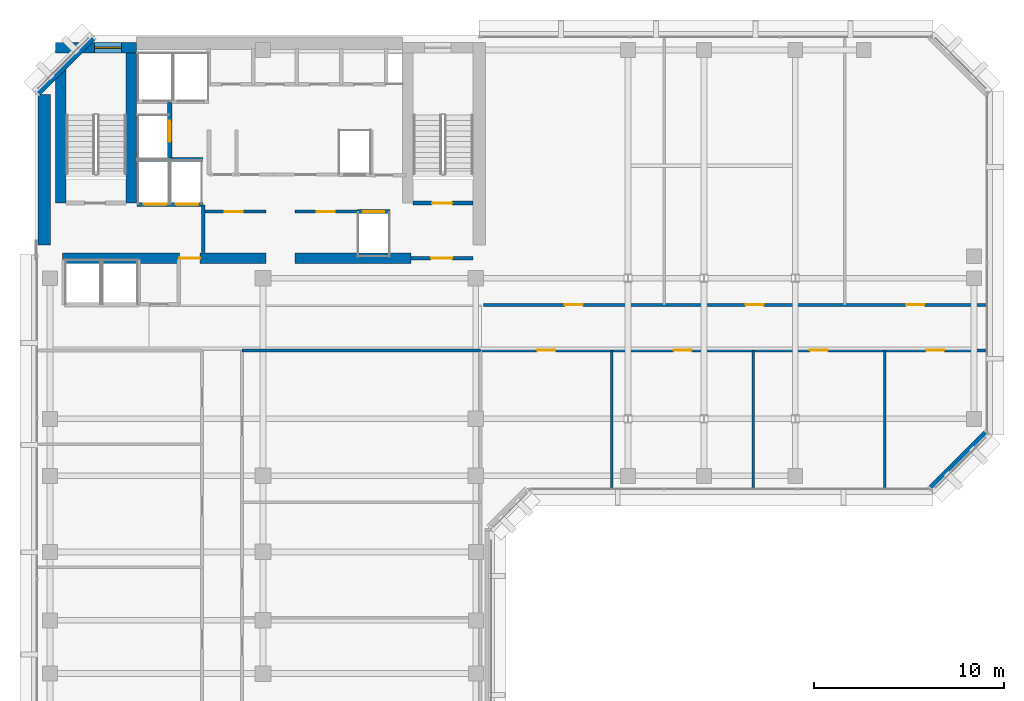
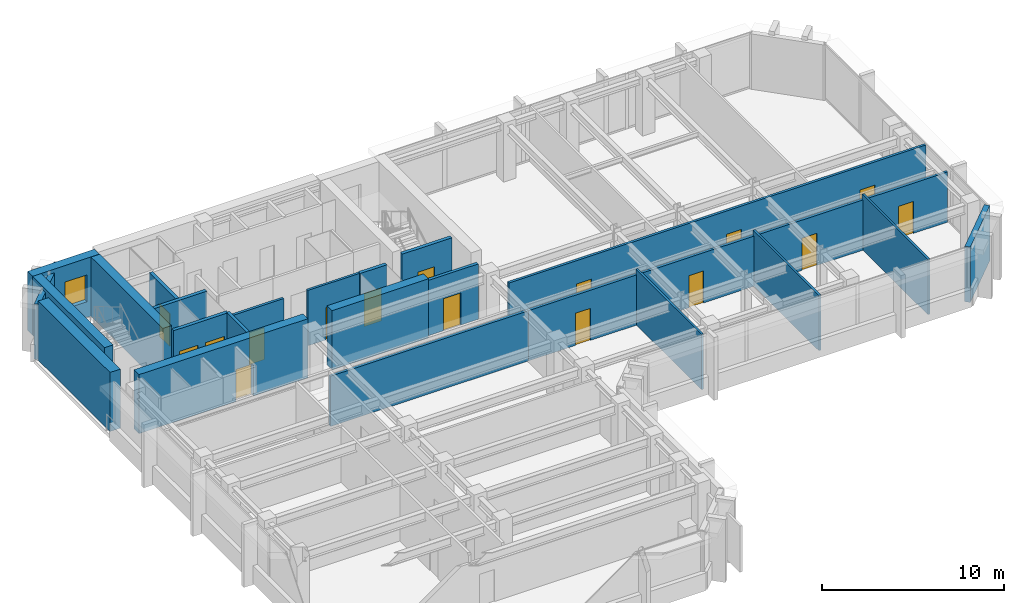
# One storey, part 7 of 12: 23 walls, 16 doors, 1 window, 17 openings.
"""IFC4 building model written with IfcOpenShell, lengths in metres."""

from ifc_helpers import new_model, si_unit, direction, frame, frame_2d, origin, place, context, subcontext, project, spatial, rectangle, extrude, material, layer, layer_set, type_object, element, fill, save


model = new_model("IFC4")

# Units and contexts
model_context = context("Model", 3, precision=1e-05, world=origin(), true_north=direction((0.0, 1.0)))
body_context = subcontext(model_context, "Body", "Model", "MODEL_VIEW")
ifc_project = project(units=[si_unit("LENGTHUNIT", "METRE"), si_unit("AREAUNIT", "SQUARE_METRE"), si_unit("VOLUMEUNIT", "CUBIC_METRE"), si_unit("PLANEANGLEUNIT", "RADIAN"), si_unit("MASSUNIT", "GRAM", prefix="KILO")], contexts=[model_context])

# Site, building, storey
site_placement = place(None, origin())
site = spatial("IfcSite", under=ifc_project, at=site_placement, CompositionType="ELEMENT")
building_placement = place(site_placement, origin())
building = spatial("IfcBuilding", under=site, at=building_placement, Name="Kefirva Bronze Tower", CompositionType="ELEMENT")
storey_placement = place(building_placement, frame((0.0, 0.0, 256.409912109375)))
storey = spatial("IfcBuildingStorey", under=building, at=storey_placement, Name="L62", CompositionType="ELEMENT", Elevation=256.409912109375)

# Walls
ifc_material_1 = material(Name="Gypsum acoustic partition")
ifc_layer_1 = layer(ifc_material_1, 0.1298828125, Name="Gypsum acoustic partition")
ifc_layer_set_1 = layer_set([ifc_layer_1], Name="Gypsum acoustic partition")
wall_type_1 = type_object("IfcWallType", Name="Acoustic Office Partition 130mm", PredefinedType="PARTITIONING", material=ifc_layer_set_1)
for number, where, z_axis, x_axis, name in (
    (1, (30.355712890625, 22.18994140625, 0.0), (0.0, 0.0, 1.0), (0.0, 1.0, 0.0), "L62 Partition W-L62-ESD1"),
    (2, (37.79248046875, 22.18994140625, 0.0), (0.0, 0.0, 1.0), (0.0, 1.0, 0.0), "L62 Partition W-L62-ESD2"),
    (3, (44.697998046875, 22.18994140625, 0.0), (0.0, 0.0, 1.0), (0.0, 1.0, 0.0), "L62 Partition W-L62-ESD3"),
):
    element("IfcWall", number, at=place(storey_placement, frame(where, z_axis=z_axis, x_axis=x_axis)), inside=storey, type_object=wall_type_1, Name=name, PredefinedType="PARTITIONING", context=body_context, shape_type="SweptSolid", body=[
        extrude(rectangle(XDim=7.2099609375, YDim=0.1298828125, at=frame_2d((3.60498046875, 0.0))), origin(), (0.0, 0.0, 1.0), 3.710205078125),
    ])

# Wall, opening, door
ifc_layer_2 = layer(ifc_material_1, 0.14990234375, Name="Gypsum acoustic partition")
ifc_layer_set_2 = layer_set([ifc_layer_2], Name="Gypsum acoustic partition")
wall_type_2 = type_object("IfcWallType", Name="Executive Suite Partition 150mm", PredefinedType="PARTITIONING", material=ifc_layer_set_2)
wall_1_placement = place(storey_placement, frame((13.679931640625, 36.699951171875, 0.0), z_axis=(0.0, 0.0, 1.0), x_axis=(1.0, 0.0, 0.0)))
wall_1 = element("IfcWall", 4, at=wall_1_placement, inside=storey, type_object=wall_type_2, Name="L62 Partition W-L62-RECMP1", PredefinedType="PARTITIONING", context=body_context, shape_type="SweptSolid", body=[
    extrude(rectangle(XDim=3.280029296875, YDim=0.14990234375, at=frame_2d((1.64013671875, 0.0))), origin(), (0.0, 0.0, 1.0), 3.710205078125),
])
opening_1_placement = place(wall_1_placement, frame((1.14990234375, 0.0, 0.0)))
opening_1 = element("IfcOpeningElement", 5, at=opening_1_placement, cuts=wall_1, Name="Opening L62-D-RECMP1", PredefinedType="OPENING", context=body_context, shape_type="SweptSolid", body=[
    extrude(rectangle(XDim=0.949951171875, YDim=2.14990234375, at=frame_2d((0.47509765625, 1.074951171875))), frame((0.0, 0.0849609375, 0.0), z_axis=(0.0, -1.0, 0.0), x_axis=(1.0, 0.0, 0.0)), (0.0, 0.0, 1.0), 0.169921875),
])
ifc_material_2 = material(Name="Acoustic hardwood oak", Category="wood")
door_type_1 = type_object("IfcDoorType", Name="Office & Meeting Room Door 950x2150", OperationType="NOTDEFINED", PredefinedType="DOOR", material=ifc_material_2)
door_1_placement = place(opening_1_placement, origin())
door_1 = element("IfcDoor", 6, at=door_1_placement, inside=storey, type_object=door_type_1, Name="Door L62-D-RECMP1", OperationType="SINGLE_SWING_LEFT", OverallHeight=2.14990234375, OverallWidth=0.949951171875, PredefinedType="DOOR", context=body_context, shape_type="SweptSolid", body=[
    extrude(rectangle(XDim=0.949951171875, YDim=2.14990234375, at=frame_2d((0.47509765625, 1.074951171875))), frame((0.0, 0.02490234375, 0.0), z_axis=(0.0, -1.0, 0.0), x_axis=(1.0, 0.0, 0.0)), (0.0, 0.0, 1.0), 0.050048828125),
])
fill(opening_1, door_1)

ifc_material_3 = material(Name="Gypsum fireboard shaftwall")
ifc_layer_3 = layer(ifc_material_3, 0.219970703125, Name="Gypsum fireboard shaftwall")
ifc_layer_set_3 = layer_set([ifc_layer_3], Name="Gypsum fireboard shaftwall")
wall_type_3 = type_object("IfcWallType", Name="Fire-Rated Shaft Enclosure Wall 220mm", PredefinedType="PARTITIONING", material=ifc_layer_set_3)
wall_2_placement = place(storey_placement, frame((19.89990234375, 37.14990234375, 0.0), z_axis=(0.0, 0.0, 1.0), x_axis=(1.0, 0.0, 0.0)))
wall_2 = element("IfcWall", 7, at=wall_2_placement, inside=storey, type_object=wall_type_3, Name="L62 Partition W-L62-ST2S", PredefinedType="PARTITIONING", context=body_context, shape_type="SweptSolid", body=[
    extrude(rectangle(XDim=3.150146484375, YDim=0.219970703125, at=frame_2d((1.5751953125, 0.0))), origin(), (0.0, 0.0, 1.0), 3.710205078125),
])
opening_2_placement = place(wall_2_placement, frame((2.050048828125, 0.0, 0.0), z_axis=(0.0, 0.0, 1.0), x_axis=(-1.0, 0.0, 0.0)))
opening_2 = element("IfcOpeningElement", 8, at=opening_2_placement, cuts=wall_2, Name="Opening L62-D003", PredefinedType="OPENING", context=body_context, shape_type="SweptSolid", body=[
    extrude(rectangle(XDim=1.050048828125, YDim=2.14990234375, at=frame_2d((0.52490234375, 1.074951171875))), frame((0.0, 0.1201171875, 0.0), z_axis=(0.0, -1.0, 0.0), x_axis=(1.0, 0.0, 0.0)), (0.0, 0.0, 1.0), 0.239990234375),
])
ifc_material_4 = material(Name="Painted galvanized steel", Category="steel")
door_type_2 = type_object("IfcDoorType", Name="Fire Stair Enclosure Door 1050x2150 FD90S", OperationType="NOTDEFINED", PredefinedType="DOOR", material=ifc_material_4)
door_2_placement = place(opening_2_placement, origin())
door_2 = element("IfcDoor", 9, at=door_2_placement, inside=storey, type_object=door_type_2, Name="Door L62-D003", OperationType="SINGLE_SWING_RIGHT", OverallHeight=2.14990234375, OverallWidth=1.050048828125, PredefinedType="DOOR", context=body_context, shape_type="SweptSolid", body=[
    extrude(rectangle(XDim=1.050048828125, YDim=2.14990234375, at=frame_2d((0.52490234375, 1.074951171875))), frame((0.0, 0.02490234375, 0.0), z_axis=(0.0, -1.0, 0.0), x_axis=(1.0, 0.0, 0.0)), (0.0, 0.0, 1.0), 0.050048828125),
])
fill(opening_2, door_2)

# Wall, openings, doors
wall_3_placement = place(storey_placement, frame((5.3798828125, 37.080078125, 0.0), z_axis=(0.0, 0.0, 1.0), x_axis=(1.0, 0.0, 0.0)))
wall_3 = element("IfcWall", 10, at=wall_3_placement, inside=storey, type_object=wall_type_3, Name="L62 Partition W-L62-FFS", PredefinedType="PARTITIONING", context=body_context, shape_type="SweptSolid", body=[
    extrude(rectangle(XDim=3.460205078125, YDim=0.219970703125, at=frame_2d((1.72998046875, 0.0))), origin(), (0.0, 0.0, 1.0), 3.710205078125),
])
opening_3_placement = place(wall_3_placement, frame((1.550048828125, 0.0, 0.0), z_axis=(0.0, 0.0, 1.0), x_axis=(-1.0, 0.0, 0.0)))
opening_3 = element("IfcOpeningElement", 11, at=opening_3_placement, cuts=wall_3, Name="Opening L62-LD-FF1", PredefinedType="OPENING", context=body_context, shape_type="SweptSolid", body=[
    extrude(rectangle(XDim=1.199951171875, YDim=2.199951171875, at=frame_2d((0.60009765625, 1.10009765625))), frame((0.0, 0.1201171875, 0.0), z_axis=(0.0, -1.0, 0.0), x_axis=(1.0, 0.0, 0.0)), (0.0, 0.0, 1.0), 0.239990234375),
])
opening_4_placement = place(wall_3_placement, frame((3.219970703125, 0.0, 0.0), z_axis=(0.0, 0.0, 1.0), x_axis=(-1.0, 0.0, 0.0)))
opening_4 = element("IfcOpeningElement", 12, at=opening_4_placement, cuts=wall_3, Name="Opening L62-LD-FF2", PredefinedType="OPENING", context=body_context, shape_type="SweptSolid", body=[
    extrude(rectangle(XDim=1.199951171875, YDim=2.199951171875, at=frame_2d((0.60009765625, 1.10009765625))), frame((0.0, 0.1201171875, 0.0), z_axis=(0.0, -1.0, 0.0), x_axis=(1.0, 0.0, 0.0)), (0.0, 0.0, 1.0), 0.239990234375),
])
ifc_material_5 = material(Name="Stainless steel 316", Category="steel")
door_type_3 = type_object("IfcDoorType", Name="Firefighting Lift Sliding Door 1200x2200", OperationType="SLIDING_TO_RIGHT", PredefinedType="DOOR", material=ifc_material_5)
door_3_placement = place(opening_3_placement, origin())
door_3 = element("IfcDoor", 13, at=door_3_placement, inside=storey, type_object=door_type_3, Name="Door L62-LD-FF1", OperationType="SLIDING_TO_RIGHT", OverallHeight=2.199951171875, OverallWidth=1.199951171875, PredefinedType="DOOR", context=body_context, shape_type="SweptSolid", body=[
    extrude(rectangle(XDim=1.199951171875, YDim=2.199951171875, at=frame_2d((0.60009765625, 1.10009765625))), frame((0.0, 0.02490234375, 0.0), z_axis=(0.0, -1.0, 0.0), x_axis=(1.0, 0.0, 0.0)), (0.0, 0.0, 1.0), 0.050048828125),
])
fill(opening_3, door_3)
door_4_placement = place(opening_4_placement, origin())
door_4 = element("IfcDoor", 14, at=door_4_placement, inside=storey, type_object=door_type_3, Name="Door L62-LD-FF2", OperationType="SLIDING_TO_RIGHT", OverallHeight=2.199951171875, OverallWidth=1.199951171875, PredefinedType="DOOR", context=body_context, shape_type="SweptSolid", body=[
    extrude(rectangle(XDim=1.199951171875, YDim=2.199951171875, at=frame_2d((0.60009765625, 1.10009765625))), frame((0.0, 0.02490234375, 0.0), z_axis=(0.0, -1.0, 0.0), x_axis=(1.0, 0.0, 0.0)), (0.0, 0.0, 1.0), 0.050048828125),
])
fill(opening_4, door_4)

# Wall
wall_4_placement = place(storey_placement, frame((5.3798828125, 39.449951171875, 0.0), z_axis=(0.0, 0.0, 1.0), x_axis=(1.0, 0.0, 0.0)))
element("IfcWall", 15, at=wall_4_placement, inside=storey, type_object=wall_type_3, Name="L62 Partition W-L62-FFN", PredefinedType="PARTITIONING", context=body_context, shape_type="SweptSolid", body=[
    extrude(rectangle(XDim=3.460205078125, YDim=0.219970703125, at=frame_2d((1.72998046875, 0.0))), origin(), (0.0, 0.0, 1.0), 3.710205078125),
])

# Wall, opening, door
wall_5_placement = place(storey_placement, frame((7.10009765625, 39.52001953125, 0.0), z_axis=(0.0, 0.0, 1.0), x_axis=(0.0, 1.0, 0.0)))
wall_5 = element("IfcWall", 16, at=wall_5_placement, inside=storey, type_object=wall_type_3, Name="L62 Partition W-L62-HP3E", PredefinedType="PARTITIONING", context=body_context, shape_type="SweptSolid", body=[
    extrude(rectangle(XDim=2.929931640625, YDim=0.219970703125, at=frame_2d((1.46484375, 0.0))), origin(), (0.0, 0.0, 1.0), 3.710205078125),
])
opening_5_placement = place(wall_5_placement, frame((0.85009765625, 0.0, 0.0)))
opening_5 = element("IfcOpeningElement", 17, at=opening_5_placement, cuts=wall_5, Name="Opening L62-LD-HP3", PredefinedType="OPENING", context=body_context, shape_type="SweptSolid", body=[
    extrude(rectangle(XDim=1.10009765625, YDim=2.199951171875, at=frame_2d((0.550048828125, 1.10009765625))), frame((0.0, 0.1201171875, 0.0), z_axis=(0.0, -1.0, 0.0), x_axis=(1.0, 0.0, 0.0)), (0.0, 0.0, 1.0), 0.239990234375),
])
door_type_4 = type_object("IfcDoorType", Name="Passenger Lift Sliding Landing Door 1100x2200", OperationType="SLIDING_TO_LEFT", PredefinedType="DOOR", material=ifc_material_5)
door_5_placement = place(opening_5_placement, origin())
door_5 = element("IfcDoor", 18, at=door_5_placement, inside=storey, type_object=door_type_4, Name="Door L62-LD-HP3", OperationType="SLIDING_TO_LEFT", OverallHeight=2.199951171875, OverallWidth=1.10009765625, PredefinedType="DOOR", context=body_context, shape_type="SweptSolid", body=[
    extrude(rectangle(XDim=1.10009765625, YDim=2.199951171875, at=frame_2d((0.550048828125, 1.10009765625))), frame((0.0, 0.02490234375, 0.0), z_axis=(0.0, -1.0, 0.0), x_axis=(1.0, 0.0, 0.0)), (0.0, 0.0, 1.0), 0.050048828125),
])
fill(opening_5, door_5)

wall_6_placement = place(storey_placement, frame((16.97998046875, 36.699951171875, 0.0), z_axis=(0.0, 0.0, 1.0), x_axis=(1.0, 0.0, 0.0)))
wall_6 = element("IfcWall", 19, at=wall_6_placement, inside=storey, type_object=wall_type_3, Name="L62 Partition W-L62-HPS", PredefinedType="PARTITIONING", context=body_context, shape_type="SweptSolid", body=[
    extrude(rectangle(XDim=1.699951171875, YDim=0.219970703125, at=frame_2d((0.85009765625, 0.0))), origin(), (0.0, 0.0, 1.0), 3.710205078125),
])
opening_6_placement = place(wall_6_placement, frame((0.300048828125, 0.0, 0.0)))
opening_6 = element("IfcOpeningElement", 20, at=opening_6_placement, cuts=wall_6, Name="Opening L62-LD-HP1", PredefinedType="OPENING", context=body_context, shape_type="SweptSolid", body=[
    extrude(rectangle(XDim=1.10009765625, YDim=2.199951171875, at=frame_2d((0.550048828125, 1.10009765625))), frame((0.0, 0.1201171875, 0.0), z_axis=(0.0, -1.0, 0.0), x_axis=(1.0, 0.0, 0.0)), (0.0, 0.0, 1.0), 0.239990234375),
])
door_6_placement = place(opening_6_placement, origin())
door_6 = element("IfcDoor", 21, at=door_6_placement, inside=storey, type_object=door_type_4, Name="Door L62-LD-HP1", OperationType="SLIDING_TO_LEFT", OverallHeight=2.199951171875, OverallWidth=1.10009765625, PredefinedType="DOOR", context=body_context, shape_type="SweptSolid", body=[
    extrude(rectangle(XDim=1.10009765625, YDim=2.199951171875, at=frame_2d((0.550048828125, 1.10009765625))), frame((0.0, 0.02490234375, 0.0), z_axis=(0.0, -1.0, 0.0), x_axis=(1.0, 0.0, 0.0)), (0.0, 0.0, 1.0), 0.050048828125),
])
fill(opening_6, door_6)

# Wall
ifc_material_6 = material(Name="Gypsum fireboard barrier")
ifc_layer_4 = layer(ifc_material_6, 0.199951171875, Name="Gypsum fireboard barrier")
ifc_layer_set_4 = layer_set([ifc_layer_4], Name="Gypsum fireboard barrier")
wall_type_4 = type_object("IfcWallType", Name="Firefighting Lobby Barrier Wall 200mm", PredefinedType="PARTITIONING", material=ifc_layer_set_4)
wall_7_placement = place(storey_placement, frame((8.860107421875, 34.550048828125, 0.0), z_axis=(0.0, 0.0, 1.0), x_axis=(0.0, 1.0, 0.0)))
element("IfcWall", 22, at=wall_7_placement, inside=storey, type_object=wall_type_4, Name="L62 Partition W-L62-FFLE", PredefinedType="PARTITIONING", context=body_context, shape_type="SweptSolid", body=[
    extrude(rectangle(XDim=2.5, YDim=0.199951171875, at=frame_2d((1.25, 0.0))), origin(), (0.0, 0.0, 1.0), 3.710205078125),
])

# Wall, opening, door
wall_8_placement = place(storey_placement, frame((19.800048828125, 34.25, 0.0), z_axis=(0.0, 0.0, 1.0), x_axis=(1.0, 0.0, 0.0)))
wall_8 = element("IfcWall", 23, at=wall_8_placement, inside=storey, type_object=wall_type_4, Name="L62 Partition W-L62-ST2F", PredefinedType="PARTITIONING", context=body_context, shape_type="SweptSolid", body=[
    extrude(rectangle(XDim=3.25, YDim=0.199951171875, at=frame_2d((1.625, 0.0))), origin(), (0.0, 0.0, 1.0), 3.710205078125),
])
opening_7_placement = place(wall_8_placement, frame((2.150146484375, 0.0, 0.0), z_axis=(0.0, 0.0, 1.0), x_axis=(-1.0, 0.0, 0.0)))
opening_7 = element("IfcOpeningElement", 24, at=opening_7_placement, cuts=wall_8, Name="Opening L62-D004", PredefinedType="OPENING", context=body_context, shape_type="SweptSolid", body=[
    extrude(rectangle(XDim=1.10009765625, YDim=2.14990234375, at=frame_2d((0.550048828125, 1.074951171875))), frame((0.0, 0.10986328125, 0.0), z_axis=(0.0, -1.0, 0.0), x_axis=(1.0, 0.0, 0.0)), (0.0, 0.0, 1.0), 0.219970703125),
])
door_type_5 = type_object("IfcDoorType", Name="Firefighting Lobby Smoke Door 1100x2150 FD60S", OperationType="NOTDEFINED", PredefinedType="DOOR", material=ifc_material_4)
door_7_placement = place(opening_7_placement, origin())
door_7 = element("IfcDoor", 25, at=door_7_placement, inside=storey, type_object=door_type_5, Name="Door L62-D004", OperationType="SINGLE_SWING_LEFT", OverallHeight=2.14990234375, OverallWidth=1.10009765625, PredefinedType="DOOR", context=body_context, shape_type="SweptSolid", body=[
    extrude(rectangle(XDim=1.10009765625, YDim=2.14990234375, at=frame_2d((0.550048828125, 1.074951171875))), frame((0.0, 0.02490234375, 0.0), z_axis=(0.0, -1.0, 0.0), x_axis=(1.0, 0.0, 0.0)), (0.0, 0.0, 1.0), 0.050048828125),
])
fill(opening_7, door_7)

# Walls
ifc_material_7 = material(Name="Precast concrete C40/50", Category="concrete")
ifc_layer_5 = layer(ifc_material_7, 0.320068359375, Name="Precast concrete C40/50")
ifc_layer_set_5 = layer_set([ifc_layer_5], Name="Precast concrete C40/50")
wall_type_5 = type_object("IfcWallType", Name="Precast Insulated Exterior Wall 320mm", PredefinedType="SOLIDWALL", material=ifc_layer_set_5)
for number, where, z_axis, x_axis, name in (
    (26, (47.125732421875, 22.152099609375, 0.0), (0.0, 0.0, 1.0), (0.707136318428, 0.707077242712, 0.0), "L62 Exterior Facade Wall 4"),
    (27, (3.07421875, 45.847900390625, 0.0), (0.0, 0.0, 1.0), (-0.707106781187, -0.707106781187, 0.0), "L62 Exterior Facade Wall 6"),
):
    element("IfcWall", number, at=place(storey_placement, frame(where, z_axis=z_axis, x_axis=x_axis)), inside=storey, type_object=wall_type_5, Name=name, PredefinedType="SOLIDWALL", context=body_context, shape_type="SweptSolid", body=[
        extrude(rectangle(XDim=4.132568359375, YDim=0.320068359375, at=frame_2d((2.06640625, 0.0))), origin(), (0.0, 0.0, 1.0), 3.710205078125),
    ])

# Wall, opening, door
ifc_layer_6 = layer(ifc_material_1, 0.159912109375, Name="Gypsum acoustic partition")
ifc_layer_set_6 = layer_set([ifc_layer_6], Name="Gypsum acoustic partition")
wall_type_6 = type_object("IfcWallType", Name="Protected Corridor Partition 160mm", PredefinedType="PARTITIONING", material=ifc_layer_set_6)
wall_9_placement = place(storey_placement, frame((8.89990234375, 36.699951171875, 0.0), z_axis=(0.0, 0.0, 1.0), x_axis=(1.0, 0.0, 0.0)))
wall_9 = element("IfcWall", 28, at=wall_9_placement, inside=storey, type_object=wall_type_6, Name="L62 Partition W-L62-RECLP1", PredefinedType="PARTITIONING", context=body_context, shape_type="SweptSolid", body=[
    extrude(rectangle(XDim=3.25, YDim=0.159912109375, at=frame_2d((1.625, 0.0))), origin(), (0.0, 0.0, 1.0), 3.710205078125),
])
opening_8_placement = place(wall_9_placement, frame((1.10009765625, 0.0, 0.0)))
opening_8 = element("IfcOpeningElement", 29, at=opening_8_placement, cuts=wall_9, Name="Opening L62-D-RECLP1", PredefinedType="OPENING", context=body_context, shape_type="SweptSolid", body=[
    extrude(rectangle(XDim=0.949951171875, YDim=2.14990234375, at=frame_2d((0.47509765625, 1.074951171875))), frame((0.0, 0.08984375, 0.0), z_axis=(0.0, -1.0, 0.0), x_axis=(1.0, 0.0, 0.0)), (0.0, 0.0, 1.0), 0.179931640625),
])
door_8_placement = place(opening_8_placement, origin())
door_8 = element("IfcDoor", 30, at=door_8_placement, inside=storey, type_object=door_type_1, Name="Door L62-D-RECLP1", OperationType="SINGLE_SWING_RIGHT", OverallHeight=2.14990234375, OverallWidth=0.949951171875, PredefinedType="DOOR", context=body_context, shape_type="SweptSolid", body=[
    extrude(rectangle(XDim=0.949951171875, YDim=2.14990234375, at=frame_2d((0.47509765625, 1.074951171875))), frame((0.0, 0.02490234375, 0.0), z_axis=(0.0, -1.0, 0.0), x_axis=(1.0, 0.0, 0.0)), (0.0, 0.0, 1.0), 0.050048828125),
])
fill(opening_8, door_8)

# Wall
wall_10_placement = place(storey_placement, frame((10.89990234375, 29.39990234375, 0.0), z_axis=(0.0, 0.0, 1.0), x_axis=(1.0, 0.0, 0.0)))
element("IfcWall", 31, at=wall_10_placement, inside=storey, type_object=wall_type_6, Name="L62 Partition W-L62-NET", PredefinedType="PARTITIONING", context=body_context, shape_type="SweptSolid", body=[
    extrude(rectangle(XDim=12.550048828125, YDim=0.159912109375, at=frame_2d((6.27490234375, 0.0))), origin(), (0.0, 0.0, 1.0), 3.364990234375),
])

# Wall, openings, doors
wall_11_placement = place(storey_placement, frame((23.449951171875, 29.39990234375, 0.0), z_axis=(0.0, 0.0, 1.0), x_axis=(1.0, 0.0, 0.0)))
wall_11 = element("IfcWall", 32, at=wall_11_placement, inside=storey, type_object=wall_type_6, Name="L62 Partition W-L62-EWS", PredefinedType="PARTITIONING", context=body_context, shape_type="SweptSolid", body=[
    extrude(rectangle(XDim=26.56005859375, YDim=0.159912109375, at=frame_2d((13.280029296875, 0.0))), origin(), (0.0, 0.0, 1.0), 3.364990234375),
])
opening_9_placement = place(wall_11_placement, frame((3.927734375, 0.0, 0.0), z_axis=(0.0, 0.0, 1.0), x_axis=(-1.0, 0.0, 0.0)))
opening_9 = element("IfcOpeningElement", 33, at=opening_9_placement, cuts=wall_11, Name="Opening L62-D-ES1", PredefinedType="OPENING", context=body_context, shape_type="SweptSolid", body=[
    extrude(rectangle(XDim=0.949951171875, YDim=2.14990234375, at=frame_2d((0.47509765625, 1.074951171875))), frame((0.0, 0.08984375, 0.0), z_axis=(0.0, -1.0, 0.0), x_axis=(1.0, 0.0, 0.0)), (0.0, 0.0, 1.0), 0.179931640625),
])
opening_10_placement = place(wall_11_placement, frame((11.098876953125, 0.0, 0.0), z_axis=(0.0, 0.0, 1.0), x_axis=(-1.0, 0.0, 0.0)))
opening_10 = element("IfcOpeningElement", 34, at=opening_10_placement, cuts=wall_11, Name="Opening L62-D-ES2", PredefinedType="OPENING", context=body_context, shape_type="SweptSolid", body=[
    extrude(rectangle(XDim=0.949951171875, YDim=2.14990234375, at=frame_2d((0.47509765625, 1.074951171875))), frame((0.0, 0.08984375, 0.0), z_axis=(0.0, -1.0, 0.0), x_axis=(1.0, 0.0, 0.0)), (0.0, 0.0, 1.0), 0.179931640625),
])
opening_11_placement = place(wall_11_placement, frame((18.270263671875, 0.0, 0.0), z_axis=(0.0, 0.0, 1.0), x_axis=(-1.0, 0.0, 0.0)))
opening_11 = element("IfcOpeningElement", 35, at=opening_11_placement, cuts=wall_11, Name="Opening L62-D-ES3", PredefinedType="OPENING", context=body_context, shape_type="SweptSolid", body=[
    extrude(rectangle(XDim=0.949951171875, YDim=2.14990234375, at=frame_2d((0.47509765625, 1.074951171875))), frame((0.0, 0.08984375, 0.0), z_axis=(0.0, -1.0, 0.0), x_axis=(1.0, 0.0, 0.0)), (0.0, 0.0, 1.0), 0.179931640625),
])
opening_12_placement = place(wall_11_placement, frame((24.37890625, 0.0, 0.0), z_axis=(0.0, 0.0, 1.0), x_axis=(-1.0, 0.0, 0.0)))
opening_12 = element("IfcOpeningElement", 36, at=opening_12_placement, cuts=wall_11, Name="Opening L62-D-ES4", PredefinedType="OPENING", context=body_context, shape_type="SweptSolid", body=[
    extrude(rectangle(XDim=0.949951171875, YDim=2.14990234375, at=frame_2d((0.47509765625, 1.074951171875))), frame((0.0, 0.08984375, 0.0), z_axis=(0.0, -1.0, 0.0), x_axis=(1.0, 0.0, 0.0)), (0.0, 0.0, 1.0), 0.179931640625),
])
door_9_placement = place(opening_9_placement, origin())
door_9 = element("IfcDoor", 37, at=door_9_placement, inside=storey, type_object=door_type_1, Name="Door L62-D-ES1", OperationType="SINGLE_SWING_RIGHT", OverallHeight=2.14990234375, OverallWidth=0.949951171875, PredefinedType="DOOR", context=body_context, shape_type="SweptSolid", body=[
    extrude(rectangle(XDim=0.949951171875, YDim=2.14990234375, at=frame_2d((0.47509765625, 1.074951171875))), frame((0.0, 0.02490234375, 0.0), z_axis=(0.0, -1.0, 0.0), x_axis=(1.0, 0.0, 0.0)), (0.0, 0.0, 1.0), 0.050048828125),
])
fill(opening_9, door_9)
door_10_placement = place(opening_10_placement, origin())
door_10 = element("IfcDoor", 38, at=door_10_placement, inside=storey, type_object=door_type_1, Name="Door L62-D-ES2", OperationType="SINGLE_SWING_LEFT", OverallHeight=2.14990234375, OverallWidth=0.949951171875, PredefinedType="DOOR", context=body_context, shape_type="SweptSolid", body=[
    extrude(rectangle(XDim=0.949951171875, YDim=2.14990234375, at=frame_2d((0.47509765625, 1.074951171875))), frame((0.0, 0.02490234375, 0.0), z_axis=(0.0, -1.0, 0.0), x_axis=(1.0, 0.0, 0.0)), (0.0, 0.0, 1.0), 0.050048828125),
])
fill(opening_10, door_10)
door_11_placement = place(opening_11_placement, origin())
door_11 = element("IfcDoor", 39, at=door_11_placement, inside=storey, type_object=door_type_1, Name="Door L62-D-ES3", OperationType="SINGLE_SWING_RIGHT", OverallHeight=2.14990234375, OverallWidth=0.949951171875, PredefinedType="DOOR", context=body_context, shape_type="SweptSolid", body=[
    extrude(rectangle(XDim=0.949951171875, YDim=2.14990234375, at=frame_2d((0.47509765625, 1.074951171875))), frame((0.0, 0.02490234375, 0.0), z_axis=(0.0, -1.0, 0.0), x_axis=(1.0, 0.0, 0.0)), (0.0, 0.0, 1.0), 0.050048828125),
])
fill(opening_11, door_11)
door_12_placement = place(opening_12_placement, origin())
door_12 = element("IfcDoor", 40, at=door_12_placement, inside=storey, type_object=door_type_1, Name="Door L62-D-ES4", OperationType="SINGLE_SWING_LEFT", OverallHeight=2.14990234375, OverallWidth=0.949951171875, PredefinedType="DOOR", context=body_context, shape_type="SweptSolid", body=[
    extrude(rectangle(XDim=0.949951171875, YDim=2.14990234375, at=frame_2d((0.47509765625, 1.074951171875))), frame((0.0, 0.02490234375, 0.0), z_axis=(0.0, -1.0, 0.0), x_axis=(1.0, 0.0, 0.0)), (0.0, 0.0, 1.0), 0.050048828125),
])
fill(opening_12, door_12)

wall_12_placement = place(storey_placement, frame((23.60009765625, 31.800048828125, 0.0), z_axis=(0.0, 0.0, 1.0), x_axis=(1.0, 0.0, 0.0)))
wall_12 = element("IfcWall", 41, at=wall_12_placement, inside=storey, type_object=wall_type_6, Name="L62 Partition W-L62-EWN", PredefinedType="PARTITIONING", context=body_context, shape_type="SweptSolid", body=[
    extrude(rectangle(XDim=26.409912109375, YDim=0.159912109375, at=frame_2d((13.205078125, 0.0))), origin(), (0.0, 0.0, 1.0), 3.710205078125),
])
opening_13_placement = place(wall_12_placement, frame((4.27880859375, 0.0, 0.0)))
opening_13 = element("IfcOpeningElement", 42, at=opening_13_placement, cuts=wall_12, Name="Opening L62-D-EN1", PredefinedType="OPENING", context=body_context, shape_type="SweptSolid", body=[
    extrude(rectangle(XDim=0.949951171875, YDim=2.14990234375, at=frame_2d((0.47509765625, 1.074951171875))), frame((0.0, 0.08984375, 0.0), z_axis=(0.0, -1.0, 0.0), x_axis=(1.0, 0.0, 0.0)), (0.0, 0.0, 1.0), 0.179931640625),
])
opening_14_placement = place(wall_12_placement, frame((13.786376953125, 0.0, 0.0)))
opening_14 = element("IfcOpeningElement", 43, at=opening_14_placement, cuts=wall_12, Name="Opening L62-D-EN2", PredefinedType="OPENING", context=body_context, shape_type="SweptSolid", body=[
    extrude(rectangle(XDim=0.949951171875, YDim=2.14990234375, at=frame_2d((0.47509765625, 1.074951171875))), frame((0.0, 0.08984375, 0.0), z_axis=(0.0, -1.0, 0.0), x_axis=(1.0, 0.0, 0.0)), (0.0, 0.0, 1.0), 0.179931640625),
])
opening_15_placement = place(wall_12_placement, frame((22.237548828125, 0.0, 0.0)))
opening_15 = element("IfcOpeningElement", 44, at=opening_15_placement, cuts=wall_12, Name="Opening L62-D-EN3", PredefinedType="OPENING", context=body_context, shape_type="SweptSolid", body=[
    extrude(rectangle(XDim=0.949951171875, YDim=2.14990234375, at=frame_2d((0.47509765625, 1.074951171875))), frame((0.0, 0.08984375, 0.0), z_axis=(0.0, -1.0, 0.0), x_axis=(1.0, 0.0, 0.0)), (0.0, 0.0, 1.0), 0.179931640625),
])
door_13_placement = place(opening_13_placement, origin())
door_13 = element("IfcDoor", 45, at=door_13_placement, inside=storey, type_object=door_type_1, Name="Door L62-D-EN1", OperationType="SINGLE_SWING_RIGHT", OverallHeight=2.14990234375, OverallWidth=0.949951171875, PredefinedType="DOOR", context=body_context, shape_type="SweptSolid", body=[
    extrude(rectangle(XDim=0.949951171875, YDim=2.14990234375, at=frame_2d((0.47509765625, 1.074951171875))), frame((0.0, 0.02490234375, 0.0), z_axis=(0.0, -1.0, 0.0), x_axis=(1.0, 0.0, 0.0)), (0.0, 0.0, 1.0), 0.050048828125),
])
fill(opening_13, door_13)
door_14_placement = place(opening_14_placement, origin())
door_14 = element("IfcDoor", 46, at=door_14_placement, inside=storey, type_object=door_type_1, Name="Door L62-D-EN2", OperationType="SINGLE_SWING_LEFT", OverallHeight=2.14990234375, OverallWidth=0.949951171875, PredefinedType="DOOR", context=body_context, shape_type="SweptSolid", body=[
    extrude(rectangle(XDim=0.949951171875, YDim=2.14990234375, at=frame_2d((0.47509765625, 1.074951171875))), frame((0.0, 0.02490234375, 0.0), z_axis=(0.0, -1.0, 0.0), x_axis=(1.0, 0.0, 0.0)), (0.0, 0.0, 1.0), 0.050048828125),
])
fill(opening_14, door_14)
door_15_placement = place(opening_15_placement, origin())
door_15 = element("IfcDoor", 47, at=door_15_placement, inside=storey, type_object=door_type_1, Name="Door L62-D-EN3", OperationType="SINGLE_SWING_RIGHT", OverallHeight=2.14990234375, OverallWidth=0.949951171875, PredefinedType="DOOR", context=body_context, shape_type="SweptSolid", body=[
    extrude(rectangle(XDim=0.949951171875, YDim=2.14990234375, at=frame_2d((0.47509765625, 1.074951171875))), frame((0.0, 0.02490234375, 0.0), z_axis=(0.0, -1.0, 0.0), x_axis=(1.0, 0.0, 0.0)), (0.0, 0.0, 1.0), 0.050048828125),
])
fill(opening_15, door_15)

# Wall, opening, window
ifc_material_8 = material(Name="Concrete C50/60", Category="concrete")
ifc_layer_7 = layer(ifc_material_8, 0.550048828125, Name="Concrete C50/60")
ifc_layer_set_7 = layer_set([ifc_layer_7], Name="Concrete C50/60")
wall_type_7 = type_object("IfcWallType", Name="RC Rear Core Exterior Wall 550mm", PredefinedType="SHEAR", material=ifc_layer_set_7)
wall_13_placement = place(storey_placement, frame((1.10009765625, 45.320068359375, 0.0), z_axis=(0.0, 0.0, 1.0), x_axis=(1.0, 0.0, 0.0)))
wall_13 = element("IfcWall", 48, at=wall_13_placement, inside=storey, type_object=wall_type_7, Name="L62 Stair 1 North Shear Wall", PredefinedType="SHEAR", context=body_context, shape_type="SweptSolid", body=[
    extrude(rectangle(XDim=4.239990234375, YDim=0.550048828125, at=frame_2d((2.1201171875, 0.0))), origin(), (0.0, 0.0, 1.0), 3.960205078125),
])
opening_16_placement = place(wall_13_placement, frame((2.050048828125, 0.0, 1.050048828125)))
opening_16 = element("IfcOpeningElement", 49, at=opening_16_placement, cuts=wall_13, Name="Opening WN-03", PredefinedType="OPENING", context=body_context, shape_type="SweptSolid", body=[
    extrude(rectangle(XDim=1.39990234375, YDim=1.800048828125, at=frame_2d((0.699951171875, 0.89990234375))), frame((0.0, 0.28515625, 0.0), z_axis=(0.0, -1.0, 0.0), x_axis=(1.0, 0.0, 0.0)), (0.0, 0.0, 1.0), 0.570068359375),
])
ifc_material_9 = material(Name="Laminated low-E double glazing", Category="glass")
window_type = type_object("IfcWindowType", Name="Rear-Core Stair Daylight Window 1400x1800", PartitioningType="SINGLE_PANEL", PredefinedType="WINDOW", material=ifc_material_9)
window_placement = place(opening_16_placement, origin())
window = element("IfcWindow", 50, at=window_placement, inside=storey, type_object=window_type, Name="L62 Stair 1 Daylight Window", OverallHeight=1.800048828125, OverallWidth=1.39990234375, PartitioningType="SINGLE_PANEL", PredefinedType="WINDOW", context=body_context, shape_type="SweptSolid", body=[
    extrude(rectangle(XDim=1.39990234375, YDim=1.800048828125, at=frame_2d((0.699951171875, 0.89990234375))), frame((0.0, 0.030029296875, 0.0), z_axis=(0.0, -1.0, 0.0), x_axis=(1.0, 0.0, 0.0)), (0.0, 0.0, 1.0), 0.06005859375),
])
fill(opening_16, window)

# Walls
ifc_layer_8 = layer(ifc_material_8, 0.64990234375, Name="Concrete C50/60")
ifc_layer_set_8 = layer_set([ifc_layer_8], Name="Concrete C50/60")
wall_type_8 = type_object("IfcWallType", Name="RC Rear Core Exterior Wall 650mm", PredefinedType="SHEAR", material=ifc_layer_set_8)
wall_14_placement = place(storey_placement, frame((0.5, 34.949951171875, 0.0), z_axis=(0.0, 0.0, 1.0), x_axis=(0.0, 1.0, 0.0)))
element("IfcWall", 51, at=wall_14_placement, inside=storey, type_object=wall_type_8, Name="L62 Rear Core West Shear Wall", PredefinedType="SHEAR", context=body_context, shape_type="SweptSolid", body=[
    extrude(rectangle(XDim=7.900146484375, YDim=0.64990234375, at=frame_2d((3.9501953125, 0.0))), origin(), (0.0, 0.0, 1.0), 3.960205078125),
])
ifc_layer_9 = layer(ifc_material_8, 0.550048828125, Name="Concrete C50/60")
ifc_layer_set_9 = layer_set([ifc_layer_9], Name="Concrete C50/60")
wall_type_9 = type_object("IfcWallType", Name="RC Rear Core Interior Wall 550mm", PredefinedType="SHEAR", material=ifc_layer_set_9)
for number, where, z_axis, x_axis, name in (
    (52, (1.3701171875, 37.14990234375, 0.0), (0.0, 0.0, 1.0), (0.0, 1.0, 0.0), "L62 Stair 1 West Shear Wall"),
    (53, (5.070068359375, 37.14990234375, 0.0), (0.0, 0.0, 1.0), (0.0, 1.0, 0.0), "L62 Stair 1 East Shear Wall"),
):
    element("IfcWall", number, at=place(storey_placement, frame(where, z_axis=z_axis, x_axis=x_axis)), inside=storey, type_object=wall_type_9, Name=name, PredefinedType="SHEAR", context=body_context, shape_type="SweptSolid", body=[
        extrude(rectangle(XDim=7.89013671875, YDim=0.550048828125, at=frame_2d((3.945068359375, 0.0))), origin(), (0.0, 0.0, 1.0), 3.960205078125),
    ])

# Wall, opening, door
ifc_layer_10 = layer(ifc_material_8, 0.64990234375, Name="Concrete C50/60")
ifc_layer_set_10 = layer_set([ifc_layer_10], Name="Concrete C50/60")
wall_type_10 = type_object("IfcWallType", Name="RC Rear Core Interior Wall 650mm", PredefinedType="SHEAR", material=ifc_layer_set_10)
wall_15_placement = place(storey_placement, frame((1.449951171875, 34.25, 0.0), z_axis=(0.0, 0.0, 1.0), x_axis=(1.0, 0.0, 0.0)))
wall_15 = element("IfcWall", 54, at=wall_15_placement, inside=storey, type_object=wall_type_10, Name="L62 Rear Core South-West Shear Wall", PredefinedType="SHEAR", context=body_context, shape_type="SweptSolid", body=[
    extrude(rectangle(XDim=10.7099609375, YDim=0.550048828125, at=frame_2d((5.35498046875, 0.0))), origin(), (0.0, 0.0, 1.0), 3.960205078125),
])
opening_17_placement = place(wall_15_placement, frame((7.25, 0.0, 0.0), z_axis=(0.0, 0.0, 1.0), x_axis=(-1.0, 0.0, 0.0)))
opening_17 = element("IfcOpeningElement", 55, at=opening_17_placement, cuts=wall_15, Name="Opening L62-D002", PredefinedType="OPENING", context=body_context, shape_type="SweptSolid", body=[
    extrude(rectangle(XDim=1.10009765625, YDim=2.14990234375, at=frame_2d((0.550048828125, 1.074951171875))), frame((0.0, 0.28515625, 0.0), z_axis=(0.0, -1.0, 0.0), x_axis=(1.0, 0.0, 0.0)), (0.0, 0.0, 1.0), 0.570068359375),
])
door_16_placement = place(opening_17_placement, origin())
door_16 = element("IfcDoor", 56, at=door_16_placement, inside=storey, type_object=door_type_5, Name="Door L62-D002", OperationType="SINGLE_SWING_LEFT", OverallHeight=2.14990234375, OverallWidth=1.10009765625, PredefinedType="DOOR", context=body_context, shape_type="SweptSolid", body=[
    extrude(rectangle(XDim=1.10009765625, YDim=2.14990234375, at=frame_2d((0.550048828125, 1.074951171875))), frame((0.0, 0.02490234375, 0.0), z_axis=(0.0, -1.0, 0.0), x_axis=(1.0, 0.0, 0.0)), (0.0, 0.0, 1.0), 0.050048828125),
])
fill(opening_17, door_16)

# Wall
wall_16_placement = place(storey_placement, frame((13.679931640625, 34.25, 0.0), z_axis=(0.0, 0.0, 1.0), x_axis=(1.0, 0.0, 0.0)))
element("IfcWall", 57, at=wall_16_placement, inside=storey, type_object=wall_type_10, Name="L62 Rear Core South-East Shear Wall", PredefinedType="SHEAR", context=body_context, shape_type="SweptSolid", body=[
    extrude(rectangle(XDim=6.1201171875, YDim=0.550048828125, at=frame_2d((3.06005859375, 0.0))), origin(), (0.0, 0.0, 1.0), 3.960205078125),
])

save(model, "model.ifc")
